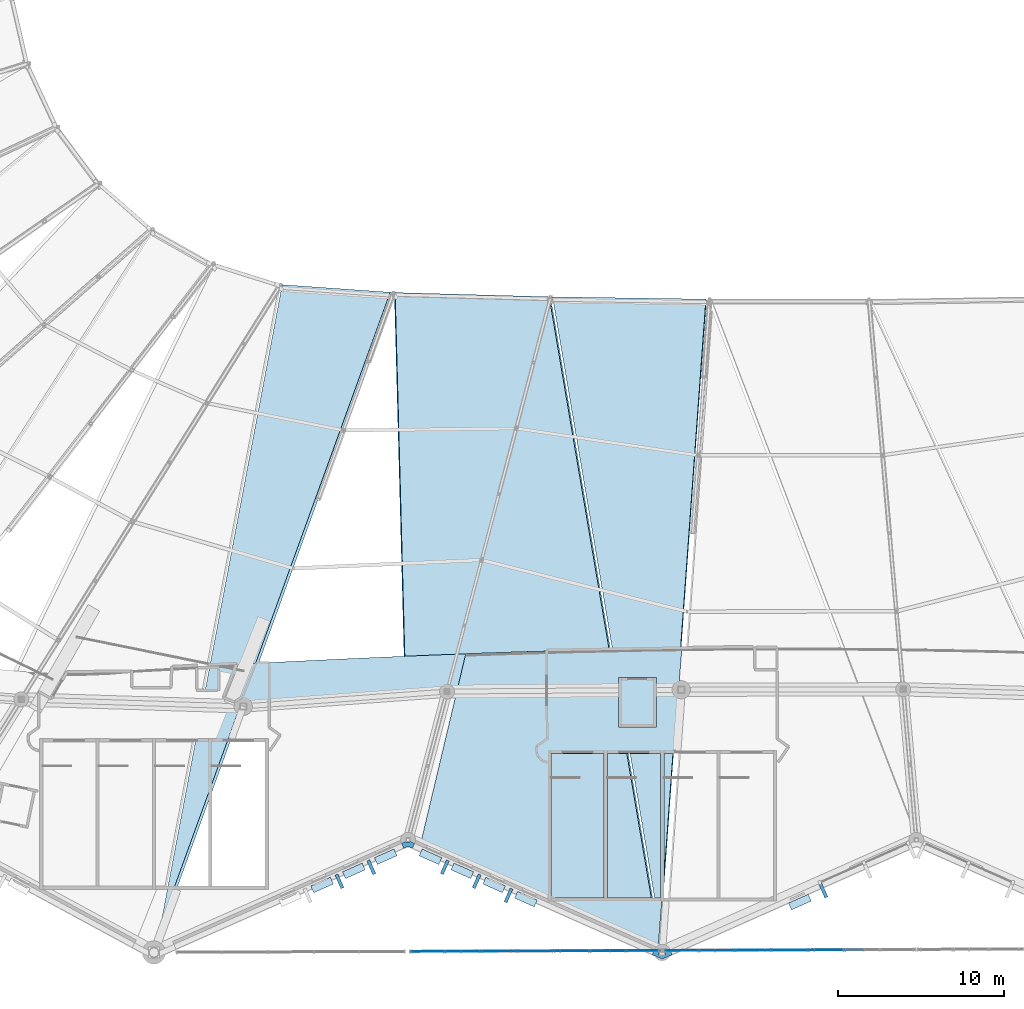
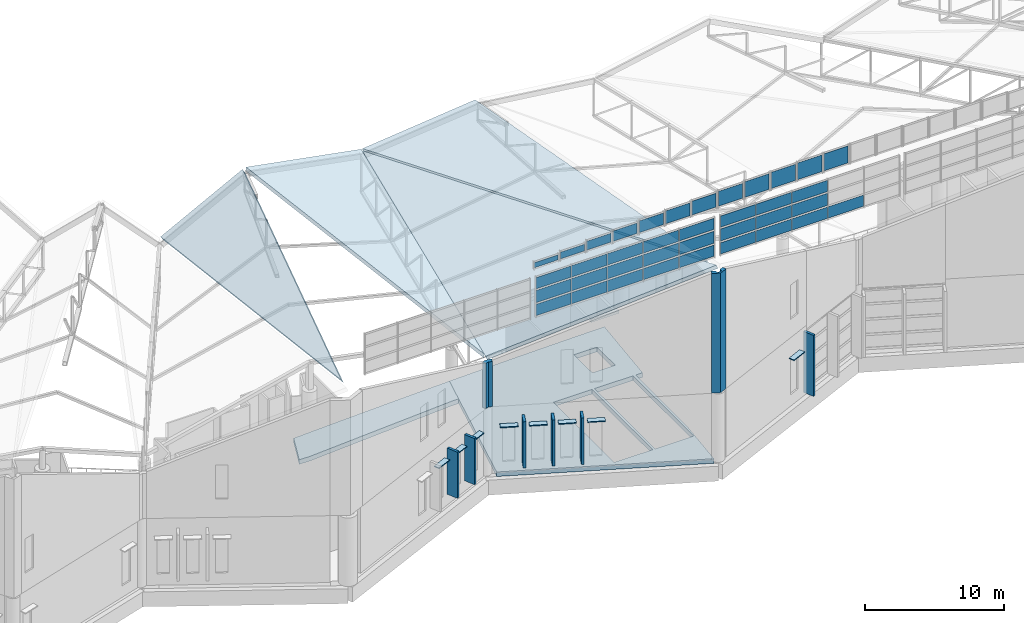
# One storey, part 227 of 344: 53 plates, 7 slabs, 14 elements without a shape of their own.
"""IFC4 building model written with IfcOpenShell, lengths in metres."""

from ifc_helpers import new_model, si_unit, direction, frame, origin, origin_2d, place, context, subcontext, project, spatial, polyline, rectangle, outline, extrude, material, layer, layer_set, type_object, element, aggregate, save


model = new_model("IFC4")

# Units and contexts
model_context = context("Model", 3, precision=1e-05, world=origin(), true_north=direction((0.0, 1.0)))
body_context = subcontext(model_context, "Body", "Model", "MODEL_VIEW")
ifc_project = project(units=[si_unit("LENGTHUNIT", "METRE"), si_unit("AREAUNIT", "SQUARE_METRE"), si_unit("VOLUMEUNIT", "CUBIC_METRE"), si_unit("PLANEANGLEUNIT", "RADIAN"), si_unit("MASSUNIT", "GRAM", prefix="KILO")], contexts=[model_context])

# Site, building, storey
site_placement = place(None, origin())
site = spatial("IfcSite", under=ifc_project, at=site_placement, CompositionType="ELEMENT")
building_placement = place(site_placement, origin())
building = spatial("IfcBuilding", under=site, at=building_placement, Name="Meseta Stadium", CompositionType="ELEMENT")
storey_placement = place(building_placement, frame((0.0, 0.0, 24.0)))
storey = spatial("IfcBuildingStorey", under=building, at=storey_placement, Name="L04", CompositionType="ELEMENT", Elevation=24.0)

# Plate
ifc_material_1 = material(Name="White precast concrete C40/50", Category="concrete")
ifc_layer_1 = layer(ifc_material_1, 0.199951171875)
ifc_layer_set_1 = layer_set([ifc_layer_1], Name="Brise-soleil fin 200x900")
plate_type_1 = type_object("IfcPlateType", Name="Brise-soleil fin 200x900", PredefinedType="USERDEFINED", material=ifc_layer_set_1)
plate_1_placement = place(storey_placement, frame((2.05224609375, -101.664306640625, 0.0), z_axis=(0.0, 0.0, 1.0), x_axis=(0.914139046248, 0.40540079443, 0.0)))
element("IfcPlate", 1, at=plate_1_placement, inside=storey, type_object=plate_type_1, Name="Brise-soleil fin F46.1", ObjectType="FIN", PredefinedType="USERDEFINED", context=body_context, shape_type="SweptSolid", body=[
    extrude(rectangle(XDim=0.199951171875, YDim=0.89990234375, at=origin_2d()), origin(), (0.0, 0.0, 1.0), 5.35009765625),
])

# Curtain wall, plate
ifc_material_2 = material(Name="Aluminium", Category="aluminium")
ifc_layer_2 = layer(ifc_material_2, 0.199951171875)
ifc_layer_set_2 = layer_set([ifc_layer_2], Name="Gable glazing curtain wall")
curtain_wall_type = type_object("IfcCurtainWallType", Name="Gable glazing curtain wall", PredefinedType="NOTDEFINED", material=ifc_layer_set_2)
curtain_wall_1_placement = place(storey_placement, origin())
curtain_wall_1 = element("IfcCurtainWall", 2, at=curtain_wall_1_placement, inside=storey, type_object=curtain_wall_type, Name="Gable glazing south bay 08", PredefinedType="NOTDEFINED")
ifc_material_3 = material(Name="Glass", Category="glass")
ifc_layer_3 = layer(ifc_material_3, 0.035888671875)
ifc_layer_set_3 = layer_set([ifc_layer_3], Name="CW glass panel 36")
plate_type_2 = type_object("IfcPlateType", Name="CW glass panel 36", PredefinedType="CURTAIN_PANEL", material=ifc_layer_set_3)
plate_2_placement = place(storey_placement, frame((-21.880615234375, -105.336669921875, 22.0048828125), z_axis=(0.0, 0.0, 1.0), x_axis=(0.999992598213, 0.003847534233, 0.0)))
plate_2 = element("IfcPlate", 3, at=plate_2_placement, type_object=plate_type_2, Name="CWG panel 1.1", PredefinedType="CURTAIN_PANEL", context=body_context, shape_type="SweptSolid", body=[
    extrude(rectangle(XDim=2.002685546875, YDim=0.035888671875, at=origin_2d()), origin(), (0.0, 0.0, 1.0), 0.43701171875),
])
aggregate(curtain_wall_1, [plate_2])

curtain_wall_2_placement = place(storey_placement, origin())
curtain_wall_2 = element("IfcCurtainWall", 4, at=curtain_wall_2_placement, inside=storey, type_object=curtain_wall_type, Name="Gable glazing south bay 09", PredefinedType="NOTDEFINED")
plate_3_placement = place(storey_placement, frame((-19.694091796875, -105.328369140625, 22.0048828125), z_axis=(0.0, 0.0, 1.0), x_axis=(0.999992598213, 0.003847534233, 0.0)))
plate_3 = element("IfcPlate", 5, at=plate_3_placement, type_object=plate_type_2, Name="CWG panel 1.1", PredefinedType="CURTAIN_PANEL", context=body_context, shape_type="SweptSolid", body=[
    extrude(rectangle(XDim=2.002685546875, YDim=0.035888671875, at=origin_2d()), origin(), (0.0, 0.0, 1.0), 0.589111328125),
])
aggregate(curtain_wall_2, [plate_3])

curtain_wall_3_placement = place(storey_placement, origin())
curtain_wall_3 = element("IfcCurtainWall", 6, at=curtain_wall_3_placement, inside=storey, type_object=curtain_wall_type, Name="Gable glazing south bay 10", PredefinedType="NOTDEFINED")
plate_4_placement = place(storey_placement, frame((-17.50732421875, -105.31982421875, 22.0048828125), z_axis=(0.0, 0.0, 1.0), x_axis=(0.999992598213, 0.003847534233, 0.0)))
plate_4 = element("IfcPlate", 7, at=plate_4_placement, type_object=plate_type_2, Name="CWG panel 1.1", PredefinedType="CURTAIN_PANEL", context=body_context, shape_type="SweptSolid", body=[
    extrude(rectangle(XDim=2.002685546875, YDim=0.035888671875, at=origin_2d()), origin(), (0.0, 0.0, 1.0), 0.778564453125),
])
aggregate(curtain_wall_3, [plate_4])

curtain_wall_4_placement = place(storey_placement, origin())
curtain_wall_4 = element("IfcCurtainWall", 8, at=curtain_wall_4_placement, inside=storey, type_object=curtain_wall_type, Name="Gable glazing south bay 11", PredefinedType="NOTDEFINED")
plate_5_placement = place(storey_placement, frame((-15.320556640625, -105.3115234375, 22.0048828125), z_axis=(0.0, 0.0, 1.0), x_axis=(0.999992598213, 0.003847534233, 0.0)))
plate_5 = element("IfcPlate", 9, at=plate_5_placement, type_object=plate_type_2, Name="CWG panel 1.1", PredefinedType="CURTAIN_PANEL", context=body_context, shape_type="SweptSolid", body=[
    extrude(rectangle(XDim=2.002685546875, YDim=0.035888671875, at=origin_2d()), origin(), (0.0, 0.0, 1.0), 0.905517578125),
])
aggregate(curtain_wall_4, [plate_5])

curtain_wall_5_placement = place(storey_placement, origin())
curtain_wall_5 = element("IfcCurtainWall", 10, at=curtain_wall_5_placement, inside=storey, type_object=curtain_wall_type, Name="Gable glazing south bay 12", PredefinedType="NOTDEFINED")
plate_6_placement = place(storey_placement, frame((-13.1337890625, -105.302978515625, 22.0048828125), z_axis=(0.0, 0.0, 1.0), x_axis=(0.999992598213, 0.003847534233, 0.0)))
plate_6 = element("IfcPlate", 11, at=plate_6_placement, type_object=plate_type_2, Name="CWG panel 1.1", PredefinedType="CURTAIN_PANEL", context=body_context, shape_type="SweptSolid", body=[
    extrude(rectangle(XDim=2.002685546875, YDim=0.035888671875, at=origin_2d()), origin(), (0.0, 0.0, 1.0), 1.02001953125),
])
aggregate(curtain_wall_5, [plate_6])

curtain_wall_6_placement = place(storey_placement, origin())
curtain_wall_6 = element("IfcCurtainWall", 12, at=curtain_wall_6_placement, inside=storey, type_object=curtain_wall_type, Name="Gable glazing south bay 13", PredefinedType="NOTDEFINED")
plate_7_placement = place(storey_placement, frame((-10.947265625, -105.294677734375, 22.0048828125), z_axis=(0.0, 0.0, 1.0), x_axis=(0.999992598213, 0.003847534233, 0.0)))
plate_7 = element("IfcPlate", 13, at=plate_7_placement, type_object=plate_type_2, Name="CWG panel 1.1", PredefinedType="CURTAIN_PANEL", context=body_context, shape_type="SweptSolid", body=[
    extrude(rectangle(XDim=2.002685546875, YDim=0.035888671875, at=origin_2d()), origin(), (0.0, 0.0, 1.0), 1.12255859375),
])
aggregate(curtain_wall_6, [plate_7])

curtain_wall_7_placement = place(storey_placement, origin())
curtain_wall_7 = element("IfcCurtainWall", 14, at=curtain_wall_7_placement, inside=storey, type_object=curtain_wall_type, Name="Gable glazing south bay 14", PredefinedType="NOTDEFINED")
plate_8_placement = place(storey_placement, frame((-8.760498046875, -105.2861328125, 22.0048828125), z_axis=(0.0, 0.0, 1.0), x_axis=(0.999992598213, 0.003847534233, 0.0)))
plate_8 = element("IfcPlate", 15, at=plate_8_placement, type_object=plate_type_2, Name="CWG panel 1.1", PredefinedType="CURTAIN_PANEL", context=body_context, shape_type="SweptSolid", body=[
    extrude(rectangle(XDim=2.002685546875, YDim=0.035888671875, at=origin_2d()), origin(), (0.0, 0.0, 1.0), 1.213134765625),
])
aggregate(curtain_wall_7, [plate_8])

curtain_wall_8_placement = place(storey_placement, origin())
curtain_wall_8 = element("IfcCurtainWall", 16, at=curtain_wall_8_placement, inside=storey, type_object=curtain_wall_type, Name="Gable glazing south bay 15", PredefinedType="NOTDEFINED")
plate_9_placement = place(storey_placement, frame((-6.570068359375, -105.27783203125, 22.0048828125), z_axis=(0.0, 0.0, 1.0), x_axis=(0.999992598211, 0.003847534652, 0.0)))
plate_9 = element("IfcPlate", 17, at=plate_9_placement, type_object=plate_type_2, Name="CWG panel 1.1", PredefinedType="CURTAIN_PANEL", context=body_context, shape_type="SweptSolid", body=[
    extrude(rectangle(XDim=2.01025390625, YDim=0.035888671875, at=origin_2d()), origin(), (0.0, 0.0, 1.0), 1.292236328125),
])
aggregate(curtain_wall_8, [plate_9])

curtain_wall_9_placement = place(storey_placement, origin())
curtain_wall_9 = element("IfcCurtainWall", 18, at=curtain_wall_9_placement, inside=storey, type_object=curtain_wall_type, Name="Gable glazing south bay 16", PredefinedType="NOTDEFINED")
plate_10_placement = place(storey_placement, frame((-4.375732421875, -105.269287109375, 22.0048828125), z_axis=(0.0, 0.0, 1.0), x_axis=(0.999992598213, 0.003847534181, 0.0)))
plate_10 = element("IfcPlate", 19, at=plate_10_placement, type_object=plate_type_2, Name="CWG panel 1.1", PredefinedType="CURTAIN_PANEL", context=body_context, shape_type="SweptSolid", body=[
    extrude(rectangle(XDim=2.01025390625, YDim=0.035888671875, at=origin_2d()), origin(), (0.0, 0.0, 1.0), 1.3603515625),
])
aggregate(curtain_wall_9, [plate_10])

curtain_wall_10_placement = place(storey_placement, origin())
curtain_wall_10 = element("IfcCurtainWall", 20, at=curtain_wall_10_placement, inside=storey, type_object=curtain_wall_type, Name="Gable glazing south bay 17", PredefinedType="NOTDEFINED")
plate_11_placement = place(storey_placement, frame((-2.181640625, -105.260986328125, 22.0048828125), z_axis=(0.0, 0.0, 1.0), x_axis=(0.999992598213, 0.003847534181, 0.0)))
plate_11 = element("IfcPlate", 21, at=plate_11_placement, type_object=plate_type_2, Name="CWG panel 1.1", PredefinedType="CURTAIN_PANEL", context=body_context, shape_type="SweptSolid", body=[
    extrude(rectangle(XDim=2.01025390625, YDim=0.035888671875, at=origin_2d()), origin(), (0.0, 0.0, 1.0), 1.416748046875),
])
aggregate(curtain_wall_10, [plate_11])

curtain_wall_11_placement = place(storey_placement, origin())
curtain_wall_11 = element("IfcCurtainWall", 22, at=curtain_wall_11_placement, inside=storey, type_object=curtain_wall_type, Name="Gable glazing south bay 18", PredefinedType="NOTDEFINED")
plate_12_placement = place(storey_placement, frame((0.012451171875, -105.25244140625, 22.0048828125), z_axis=(0.0, 0.0, 1.0), x_axis=(0.999992598213, 0.003847534181, 0.0)))
plate_12 = element("IfcPlate", 23, at=plate_12_placement, type_object=plate_type_2, Name="CWG panel 1.1", PredefinedType="CURTAIN_PANEL", context=body_context, shape_type="SweptSolid", body=[
    extrude(rectangle(XDim=2.01025390625, YDim=0.035888671875, at=origin_2d()), origin(), (0.0, 0.0, 1.0), 1.46240234375),
])
aggregate(curtain_wall_11, [plate_12])

curtain_wall_12_placement = place(storey_placement, origin())
curtain_wall_12 = element("IfcCurtainWall", 24, at=curtain_wall_12_placement, inside=storey, type_object=curtain_wall_type, Name="Gable glazing south bay 19", PredefinedType="NOTDEFINED")
plate_13_placement = place(storey_placement, frame((2.206787109375, -105.244140625, 22.005126953125), z_axis=(0.0, 0.0, 1.0), x_axis=(0.999992598213, 0.003847534181, 0.0)))
plate_13 = element("IfcPlate", 25, at=plate_13_placement, type_object=plate_type_2, Name="CWG panel 1.1", PredefinedType="CURTAIN_PANEL", context=body_context, shape_type="SweptSolid", body=[
    extrude(rectangle(XDim=2.01025390625, YDim=0.035888671875, at=origin_2d()), origin(), (0.0, 0.0, 1.0), 1.49658203125),
])
aggregate(curtain_wall_12, [plate_13])

# Curtain wall, plates
curtain_wall_13_placement = place(storey_placement, origin())
curtain_wall_13 = element("IfcCurtainWall", 26, at=curtain_wall_13_placement, inside=storey, type_object=curtain_wall_type, Name="Gable glazing south lower bay 02", PredefinedType="NOTDEFINED")
plate_14_placement = place(storey_placement, frame((-21.27197265625, -105.33447265625, 17.75), z_axis=(0.0, 0.0, 1.0), x_axis=(0.999992598213, 0.003847534198, 0.0)))
plate_14 = element("IfcPlate", 27, at=plate_14_placement, type_object=plate_type_2, Name="CWG panel 1.1", PredefinedType="CURTAIN_PANEL", context=body_context, shape_type="SweptSolid", body=[
    extrude(rectangle(XDim=2.893310546875, YDim=0.035888671875, at=origin_2d()), origin(), (0.0, 0.0, 1.0), 0.986572265625),
])
plate_15_placement = place(storey_placement, frame((-21.27197265625, -105.33447265625, 18.88671875), z_axis=(0.0, 0.0, 1.0), x_axis=(0.999992598213, 0.003847534198, 0.0)))
plate_15 = element("IfcPlate", 28, at=plate_15_placement, type_object=plate_type_2, Name="CWG panel 1.2", PredefinedType="CURTAIN_PANEL", context=body_context, shape_type="SweptSolid", body=[
    extrude(rectangle(XDim=2.893310546875, YDim=0.035888671875, at=origin_2d()), origin(), (0.0, 0.0, 1.0), 1.061767578125),
])
plate_16_placement = place(storey_placement, frame((-21.27197265625, -105.33447265625, 20.09814453125), z_axis=(0.0, 0.0, 1.0), x_axis=(0.999992598213, 0.003847534198, 0.0)))
plate_16 = element("IfcPlate", 29, at=plate_16_placement, type_object=plate_type_2, Name="CWG panel 1.3", PredefinedType="CURTAIN_PANEL", context=body_context, shape_type="SweptSolid", body=[
    extrude(rectangle(XDim=2.893310546875, YDim=0.035888671875, at=origin_2d()), origin(), (0.0, 0.0, 1.0), 0.986572265625),
])
plate_17_placement = place(storey_placement, frame((-18.3037109375, -105.322998046875, 17.75), z_axis=(0.0, 0.0, 1.0), x_axis=(0.999992598213, 0.003847534198, 0.0)))
plate_17 = element("IfcPlate", 30, at=plate_17_placement, type_object=plate_type_2, Name="CWG panel 2.1", PredefinedType="CURTAIN_PANEL", context=body_context, shape_type="SweptSolid", body=[
    extrude(rectangle(XDim=2.923095703125, YDim=0.035888671875, at=origin_2d()), origin(), (0.0, 0.0, 1.0), 0.986572265625),
])
plate_18_placement = place(storey_placement, frame((-18.3037109375, -105.322998046875, 18.88671875), z_axis=(0.0, 0.0, 1.0), x_axis=(0.999992598213, 0.003847534198, 0.0)))
plate_18 = element("IfcPlate", 31, at=plate_18_placement, type_object=plate_type_2, Name="CWG panel 2.2", PredefinedType="CURTAIN_PANEL", context=body_context, shape_type="SweptSolid", body=[
    extrude(rectangle(XDim=2.923095703125, YDim=0.035888671875, at=origin_2d()), origin(), (0.0, 0.0, 1.0), 1.061767578125),
])
plate_19_placement = place(storey_placement, frame((-18.3037109375, -105.322998046875, 20.09814453125), z_axis=(0.0, 0.0, 1.0), x_axis=(0.999992598213, 0.003847534198, 0.0)))
plate_19 = element("IfcPlate", 32, at=plate_19_placement, type_object=plate_type_2, Name="CWG panel 2.3", PredefinedType="CURTAIN_PANEL", context=body_context, shape_type="SweptSolid", body=[
    extrude(rectangle(XDim=2.923095703125, YDim=0.035888671875, at=origin_2d()), origin(), (0.0, 0.0, 1.0), 0.986572265625),
])
plate_20_placement = place(storey_placement, frame((-15.320556640625, -105.3115234375, 17.75), z_axis=(0.0, 0.0, 1.0), x_axis=(0.999992598213, 0.003847534198, 0.0)))
plate_20 = element("IfcPlate", 33, at=plate_20_placement, type_object=plate_type_2, Name="CWG panel 3.1", PredefinedType="CURTAIN_PANEL", context=body_context, shape_type="SweptSolid", body=[
    extrude(rectangle(XDim=2.923095703125, YDim=0.035888671875, at=origin_2d()), origin(), (0.0, 0.0, 1.0), 0.986572265625),
])
plate_21_placement = place(storey_placement, frame((-15.320556640625, -105.3115234375, 18.88671875), z_axis=(0.0, 0.0, 1.0), x_axis=(0.999992598213, 0.003847534198, 0.0)))
plate_21 = element("IfcPlate", 34, at=plate_21_placement, type_object=plate_type_2, Name="CWG panel 3.2", PredefinedType="CURTAIN_PANEL", context=body_context, shape_type="SweptSolid", body=[
    extrude(rectangle(XDim=2.923095703125, YDim=0.035888671875, at=origin_2d()), origin(), (0.0, 0.0, 1.0), 1.061767578125),
])
plate_22_placement = place(storey_placement, frame((-15.320556640625, -105.3115234375, 20.09814453125), z_axis=(0.0, 0.0, 1.0), x_axis=(0.999992598213, 0.003847534198, 0.0)))
plate_22 = element("IfcPlate", 35, at=plate_22_placement, type_object=plate_type_2, Name="CWG panel 3.3", PredefinedType="CURTAIN_PANEL", context=body_context, shape_type="SweptSolid", body=[
    extrude(rectangle(XDim=2.923095703125, YDim=0.035888671875, at=origin_2d()), origin(), (0.0, 0.0, 1.0), 0.986572265625),
])
plate_23_placement = place(storey_placement, frame((-12.33740234375, -105.300048828125, 17.75), z_axis=(0.0, 0.0, 1.0), x_axis=(0.999992598213, 0.003847534198, 0.0)))
plate_23 = element("IfcPlate", 36, at=plate_23_placement, type_object=plate_type_2, Name="CWG panel 4.1", PredefinedType="CURTAIN_PANEL", context=body_context, shape_type="SweptSolid", body=[
    extrude(rectangle(XDim=2.923095703125, YDim=0.035888671875, at=origin_2d()), origin(), (0.0, 0.0, 1.0), 0.986572265625),
])
plate_24_placement = place(storey_placement, frame((-12.33740234375, -105.300048828125, 18.88671875), z_axis=(0.0, 0.0, 1.0), x_axis=(0.999992598213, 0.003847534198, 0.0)))
plate_24 = element("IfcPlate", 37, at=plate_24_placement, type_object=plate_type_2, Name="CWG panel 4.2", PredefinedType="CURTAIN_PANEL", context=body_context, shape_type="SweptSolid", body=[
    extrude(rectangle(XDim=2.923095703125, YDim=0.035888671875, at=origin_2d()), origin(), (0.0, 0.0, 1.0), 1.061767578125),
])
plate_25_placement = place(storey_placement, frame((-12.33740234375, -105.300048828125, 20.09814453125), z_axis=(0.0, 0.0, 1.0), x_axis=(0.999992598213, 0.003847534198, 0.0)))
plate_25 = element("IfcPlate", 38, at=plate_25_placement, type_object=plate_type_2, Name="CWG panel 4.3", PredefinedType="CURTAIN_PANEL", context=body_context, shape_type="SweptSolid", body=[
    extrude(rectangle(XDim=2.923095703125, YDim=0.035888671875, at=origin_2d()), origin(), (0.0, 0.0, 1.0), 0.986572265625),
])
plate_26_placement = place(storey_placement, frame((-9.369140625, -105.28857421875, 17.75), z_axis=(0.0, 0.0, 1.0), x_axis=(0.999992598213, 0.003847534198, 0.0)))
plate_26 = element("IfcPlate", 39, at=plate_26_placement, type_object=plate_type_2, Name="CWG panel 5.1", PredefinedType="CURTAIN_PANEL", context=body_context, shape_type="SweptSolid", body=[
    extrude(rectangle(XDim=2.893310546875, YDim=0.035888671875, at=origin_2d()), origin(), (0.0, 0.0, 1.0), 0.986572265625),
])
plate_27_placement = place(storey_placement, frame((-9.369140625, -105.28857421875, 18.88671875), z_axis=(0.0, 0.0, 1.0), x_axis=(0.999992598213, 0.003847534198, 0.0)))
plate_27 = element("IfcPlate", 40, at=plate_27_placement, type_object=plate_type_2, Name="CWG panel 5.2", PredefinedType="CURTAIN_PANEL", context=body_context, shape_type="SweptSolid", body=[
    extrude(rectangle(XDim=2.893310546875, YDim=0.035888671875, at=origin_2d()), origin(), (0.0, 0.0, 1.0), 1.061767578125),
])
plate_28_placement = place(storey_placement, frame((-9.369140625, -105.28857421875, 20.09814453125), z_axis=(0.0, 0.0, 1.0), x_axis=(0.999992598213, 0.003847534198, 0.0)))
plate_28 = element("IfcPlate", 41, at=plate_28_placement, type_object=plate_type_2, Name="CWG panel 5.3", PredefinedType="CURTAIN_PANEL", context=body_context, shape_type="SweptSolid", body=[
    extrude(rectangle(XDim=2.893310546875, YDim=0.035888671875, at=origin_2d()), origin(), (0.0, 0.0, 1.0), 0.986572265625),
])
aggregate(curtain_wall_13, [plate_14, plate_15, plate_16, plate_17, plate_18, plate_19, plate_20, plate_21, plate_22, plate_23, plate_24, plate_25, plate_26, plate_27, plate_28])

curtain_wall_14_placement = place(storey_placement, origin())
curtain_wall_14 = element("IfcCurtainWall", 42, at=curtain_wall_14_placement, inside=storey, type_object=curtain_wall_type, Name="Gable glazing south lower bay 03", PredefinedType="NOTDEFINED")
plate_29_placement = place(storey_placement, frame((-5.959716796875, -105.275390625, 17.75), z_axis=(0.0, 0.0, 1.0), x_axis=(0.999992598213, 0.003847534216, 0.0)))
plate_29 = element("IfcPlate", 43, at=plate_29_placement, type_object=plate_type_2, Name="CWG panel 1.1", PredefinedType="CURTAIN_PANEL", context=body_context, shape_type="SweptSolid", body=[
    extrude(rectangle(XDim=2.903564453125, YDim=0.035888671875, at=origin_2d()), origin(), (0.0, 0.0, 1.0), 0.986572265625),
])
plate_30_placement = place(storey_placement, frame((-5.959716796875, -105.275390625, 18.88671875), z_axis=(0.0, 0.0, 1.0), x_axis=(0.999992598213, 0.003847534216, 0.0)))
plate_30 = element("IfcPlate", 44, at=plate_30_placement, type_object=plate_type_2, Name="CWG panel 1.2", PredefinedType="CURTAIN_PANEL", context=body_context, shape_type="SweptSolid", body=[
    extrude(rectangle(XDim=2.903564453125, YDim=0.035888671875, at=origin_2d()), origin(), (0.0, 0.0, 1.0), 1.061767578125),
])
plate_31_placement = place(storey_placement, frame((-5.959716796875, -105.275390625, 20.09814453125), z_axis=(0.0, 0.0, 1.0), x_axis=(0.999992598213, 0.003847534216, 0.0)))
plate_31 = element("IfcPlate", 45, at=plate_31_placement, type_object=plate_type_2, Name="CWG panel 1.3", PredefinedType="CURTAIN_PANEL", context=body_context, shape_type="SweptSolid", body=[
    extrude(rectangle(XDim=2.903564453125, YDim=0.035888671875, at=origin_2d()), origin(), (0.0, 0.0, 1.0), 0.986572265625),
])
plate_32_placement = place(storey_placement, frame((-2.981201171875, -105.263916015625, 17.75), z_axis=(0.0, 0.0, 1.0), x_axis=(0.999992598213, 0.003847534216, 0.0)))
plate_32 = element("IfcPlate", 46, at=plate_32_placement, type_object=plate_type_2, Name="CWG panel 2.1", PredefinedType="CURTAIN_PANEL", context=body_context, shape_type="SweptSolid", body=[
    extrude(rectangle(XDim=2.93359375, YDim=0.035888671875, at=origin_2d()), origin(), (0.0, 0.0, 1.0), 0.986572265625),
])
plate_33_placement = place(storey_placement, frame((-2.981201171875, -105.263916015625, 18.88671875), z_axis=(0.0, 0.0, 1.0), x_axis=(0.999992598213, 0.003847534216, 0.0)))
plate_33 = element("IfcPlate", 47, at=plate_33_placement, type_object=plate_type_2, Name="CWG panel 2.2", PredefinedType="CURTAIN_PANEL", context=body_context, shape_type="SweptSolid", body=[
    extrude(rectangle(XDim=2.93359375, YDim=0.035888671875, at=origin_2d()), origin(), (0.0, 0.0, 1.0), 1.061767578125),
])
plate_34_placement = place(storey_placement, frame((-2.981201171875, -105.263916015625, 20.09814453125), z_axis=(0.0, 0.0, 1.0), x_axis=(0.999992598213, 0.003847534216, 0.0)))
plate_34 = element("IfcPlate", 48, at=plate_34_placement, type_object=plate_type_2, Name="CWG panel 2.3", PredefinedType="CURTAIN_PANEL", context=body_context, shape_type="SweptSolid", body=[
    extrude(rectangle(XDim=2.93359375, YDim=0.035888671875, at=origin_2d()), origin(), (0.0, 0.0, 1.0), 0.986572265625),
])
plate_35_placement = place(storey_placement, frame((0.012451171875, -105.25244140625, 17.75), z_axis=(0.0, 0.0, 1.0), x_axis=(0.999992598213, 0.003847534216, 0.0)))
plate_35 = element("IfcPlate", 49, at=plate_35_placement, type_object=plate_type_2, Name="CWG panel 3.1", PredefinedType="CURTAIN_PANEL", context=body_context, shape_type="SweptSolid", body=[
    extrude(rectangle(XDim=2.93359375, YDim=0.035888671875, at=origin_2d()), origin(), (0.0, 0.0, 1.0), 0.986572265625),
])
plate_36_placement = place(storey_placement, frame((0.012451171875, -105.25244140625, 18.88671875), z_axis=(0.0, 0.0, 1.0), x_axis=(0.999992598213, 0.003847534216, 0.0)))
plate_36 = element("IfcPlate", 50, at=plate_36_placement, type_object=plate_type_2, Name="CWG panel 3.2", PredefinedType="CURTAIN_PANEL", context=body_context, shape_type="SweptSolid", body=[
    extrude(rectangle(XDim=2.93359375, YDim=0.035888671875, at=origin_2d()), origin(), (0.0, 0.0, 1.0), 1.061767578125),
])
plate_37_placement = place(storey_placement, frame((0.012451171875, -105.25244140625, 20.09814453125), z_axis=(0.0, 0.0, 1.0), x_axis=(0.999992598213, 0.003847534216, 0.0)))
plate_37 = element("IfcPlate", 51, at=plate_37_placement, type_object=plate_type_2, Name="CWG panel 3.3", PredefinedType="CURTAIN_PANEL", context=body_context, shape_type="SweptSolid", body=[
    extrude(rectangle(XDim=2.93359375, YDim=0.035888671875, at=origin_2d()), origin(), (0.0, 0.0, 1.0), 0.986572265625),
])
plate_38_placement = place(storey_placement, frame((3.006103515625, -105.240966796875, 17.75), z_axis=(0.0, 0.0, 1.0), x_axis=(0.999992598213, 0.003847534216, 0.0)))
plate_38 = element("IfcPlate", 52, at=plate_38_placement, type_object=plate_type_2, Name="CWG panel 4.1", PredefinedType="CURTAIN_PANEL", context=body_context, shape_type="SweptSolid", body=[
    extrude(rectangle(XDim=2.93359375, YDim=0.035888671875, at=origin_2d()), origin(), (0.0, 0.0, 1.0), 0.986572265625),
])
aggregate(curtain_wall_14, [plate_29, plate_30, plate_31, plate_32, plate_33, plate_34, plate_35, plate_36, plate_37, plate_38])

# Slabs
ifc_material_4 = material(Name="Concrete C40/50", Category="concrete")
ifc_layer_4 = layer(ifc_material_4, 0.25)
ifc_layer_set_4 = layer_set([ifc_layer_4], Name="Core roof slab 250")
slab_type_1 = type_object("IfcSlabType", Name="Core roof slab 250", PredefinedType="ROOF", material=ifc_layer_set_4)
slab_1_placement = place(storey_placement, frame((0.0, 0.0, 4.60009765625)))
element("IfcSlab", 53, at=slab_1_placement, inside=storey, type_object=slab_type_1, Name="Core 24 lift overrun roof", PredefinedType="ROOF", context=body_context, shape_type="SweptSolid", body=[
    extrude(outline(polyline([(-10.316650390625, -91.800048828125), (-10.316650390625, -88.800048828125), (-8.0166015625, -88.800048828125), (-8.0166015625, -91.800048828125), (-10.316650390625, -91.800048828125)])), origin(), (0.0, 0.0, 1.0), 0.25),
])
ifc_material_5 = material(Name="Concrete C40/50", Category="concrete")
ifc_layer_5 = layer(ifc_material_5, 0.39990234375)
ifc_layer_set_5 = layer_set([ifc_layer_5], Name="Floor slab 400")
slab_type_2 = type_object("IfcSlabType", Name="Floor slab 400", PredefinedType="FLOOR", material=ifc_layer_set_5)
slab_2_placement = place(storey_placement, frame((0.0, 0.0, -0.39990234375)))
element("IfcSlab", 54, at=slab_2_placement, inside=storey, type_object=slab_type_2, Name="Floor slab L04 sector 42 panel 05", PredefinedType="FLOOR", context=body_context, shape_type="SweptSolid", body=[
    extrude(outline(polyline([(-32.769287109375, -87.978759765625), (-33.77490234375, -90.5126953125), (-32.944091796875, -90.5390625), (-20.650390625, -89.644287109375), (-20.649658203125, -89.644287109375), (-20.06005859375, -89.6396484375), (-20.058837890625, -89.639892578125), (-20.0576171875, -89.639892578125), (-20.05712890625, -89.639892578125), (-19.518310546875, -87.37744140625), (-21.70947265625, -87.461669921875), (-23.906982421875, -87.552734375), (-26.111328125, -87.650634765625), (-28.322998046875, -87.75439453125), (-30.542236328125, -87.864013671875), (-32.769287109375, -87.978759765625)])), origin(), (0.0, 0.0, 1.0), 0.39990234375),
])
slab_3_placement = place(storey_placement, frame((0.0, 0.0, -0.39990234375)))
element("IfcSlab", 55, at=slab_3_placement, inside=storey, type_object=slab_type_2, Name="Floor slab L04 sector 42 panel 06", PredefinedType="FLOOR", context=body_context, shape_type="SweptSolid", body=[
    extrude(outline(polyline([(-7.566650390625, -93.39990234375), (-6.984130859375, -93.39990234375), (-6.4794921875, -87.04345703125), (-8.64306640625, -87.0771484375), (-10.8095703125, -87.119873046875), (-12.9794921875, -87.171630859375), (-15.154052734375, -87.23193359375), (-17.33349609375, -87.30078125), (-19.518310546875, -87.37744140625), (-22.267822265625, -98.9248046875), (-7.92724609375, -105.284423828125), (-7.566650390625, -100.740478515625), (-7.566650390625, -93.39990234375)]), holes=[polyline([(-8.216796875, -91.60009765625), (-10.11669921875, -91.60009765625), (-10.11669921875, -89.0), (-8.216796875, -89.0), (-8.216796875, -91.60009765625)]), polyline([(-11.166748046875, -102.10009765625), (-14.36669921875, -102.10009765625), (-14.36669921875, -93.39990234375), (-11.166748046875, -93.39990234375), (-11.166748046875, -102.10009765625)]), polyline([(-7.7666015625, -102.10009765625), (-10.966796875, -102.10009765625), (-10.966796875, -93.39990234375), (-7.7666015625, -93.39990234375), (-7.7666015625, -102.10009765625)])]), origin(), (0.0, 0.0, 1.0), 0.39990234375),
])

# Plates
ifc_material_6 = material(Name="White precast concrete C40/50", Category="concrete")
ifc_layer_6 = layer(ifc_material_6, 0.320068359375)
ifc_layer_set_6 = layer_set([ifc_layer_6], Name="Fold closer plate 320")
plate_type_3 = type_object("IfcPlateType", Name="Fold closer plate 320", PredefinedType="USERDEFINED", material=ifc_layer_set_6)
plate_39_placement = place(storey_placement, frame((0.0, 0.0, 6.0)))
element("IfcPlate", 56, at=plate_39_placement, inside=storey, type_object=plate_type_3, Name="Pleated fascia fold closer L04 F44", ObjectType="CLADDING", PredefinedType="USERDEFINED", context=body_context, shape_type="SweptSolid", body=[
    extrude(outline(polyline([(-23.1201171875, -98.697021484375), (-23.394775390625, -98.81884765625), (-23.264892578125, -99.111328125), (-23.0, -98.993896484375), (-22.735107421875, -99.111328125), (-22.605224609375, -98.81884765625), (-22.8798828125, -98.697021484375), (-22.880859375, -98.7138671875), (-22.888916015625, -98.719970703125), (-23.110107421875, -98.719970703125), (-23.119140625, -98.7138671875), (-23.1201171875, -98.697021484375)])), origin(), (0.0, 0.0, 1.0), 3.9453125),
])
plate_40_placement = place(storey_placement, frame((0.0, 0.0, 6.0)))
element("IfcPlate", 57, at=plate_40_placement, inside=storey, type_object=plate_type_3, Name="Pleated fascia fold closer L04 F45", ObjectType="CLADDING", PredefinedType="USERDEFINED", context=body_context, shape_type="SweptSolid", body=[
    extrude(outline(polyline([(-7.666748046875, -105.793701171875), (-7.064208984375, -105.526611328125), (-7.19384765625, -105.23388671875), (-7.481689453125, -105.36181640625), (-7.481689453125, -105.574951171875), (-7.487060546875, -105.583740234375), (-7.841796875, -105.5849609375), (-7.8486328125, -105.58203125), (-7.851806640625, -105.574951171875), (-7.851806640625, -105.36181640625), (-8.139404296875, -105.23388671875), (-8.269287109375, -105.526611328125), (-7.666748046875, -105.793701171875)])), origin(), (0.0, 0.0, 1.0), 10.482421875),
])
ifc_material_7 = material(Name="White precast concrete C40/50", Category="concrete")
ifc_layer_7 = layer(ifc_material_7, 0.080078125)
ifc_layer_set_7 = layer_set([ifc_layer_7], Name="Louvre hood 1300x450")
plate_type_4 = type_object("IfcPlateType", Name="Louvre hood 1300x450", PredefinedType="USERDEFINED", material=ifc_layer_set_7)
for number, where, z_axis, x_axis, name in (
    (58, (-24.352294921875, -99.620849609375, 4.25), (0.0, 0.0, 1.0), (0.914139046248, 0.40540079443, 0.0), "Louvre hood L04 F44"),
    (59, (-26.27197265625, -100.47216796875, 4.25), (0.0, 0.0, 1.0), (0.914139046248, 0.40540079443, 0.0), "Louvre hood L04 F44"),
    (60, (-28.191650390625, -101.323486328125, 4.25), (0.0, 0.0, 1.0), (0.914139046248, 0.40540079443, 0.0), "Louvre hood L04 F44"),
    (61, (-21.647705078125, -99.620849609375, 4.25), (0.0, 0.0, 1.0), (0.914139046248, -0.40540079443, 0.0), "Louvre hood L04 F45"),
    (62, (-19.72802734375, -100.47216796875, 4.25), (0.0, 0.0, 1.0), (0.914139046248, -0.40540079443, 0.0), "Louvre hood L04 F45"),
    (63, (-17.808349609375, -101.323486328125, 4.25), (0.0, 0.0, 1.0), (0.914139046248, -0.40540079443, 0.0), "Louvre hood L04 F45"),
    (64, (-15.888671875, -102.1748046875, 4.25), (0.0, 0.0, 1.0), (0.914139046248, -0.40540079443, 0.0), "Louvre hood L04 F45"),
    (65, (0.636474609375, -102.357666015625, 4.25), (0.0, 0.0, 1.0), (0.914139046248, 0.40540079443, 0.0), "Louvre hood L04 F46"),
):
    element("IfcPlate", number, at=place(storey_placement, frame(where, z_axis=z_axis, x_axis=x_axis)), inside=storey, type_object=plate_type_4, Name=name, ObjectType="LOUVRE", PredefinedType="USERDEFINED", context=body_context, shape_type="SweptSolid", body=[
        extrude(rectangle(XDim=1.300048828125, YDim=0.449951171875, at=origin_2d()), origin(), (0.0, 0.0, 1.0), 0.080078125),
    ])
ifc_material_8 = material(Name="Precast concrete C40/50, terracotta pigment", Category="masonry")
ifc_layer_8 = layer(ifc_material_8, 0.199951171875)
ifc_layer_set_8 = layer_set([ifc_layer_8], Name="Precast concrete C40/50, terracotta pigment")
plate_type_5 = type_object("IfcPlateType", Name="Precast fin 200x900", PredefinedType="USERDEFINED", material=ifc_layer_set_8)
for number, where, z_axis, x_axis, name in (
    (66, (-25.220947265625, -100.252197265625, 0.9501953125), (0.0, 0.0, 1.0), (-0.914139367606, -0.405400069798, 0.0), "Precast fin L04 F44.1"),
    (67, (-27.140625, -101.103515625, 0.9501953125), (0.0, 0.0, 1.0), (-0.914139367606, -0.405400069798, 0.0), "Precast fin L04 F44.2"),
    (68, (-16.939697265625, -101.954833984375, 0.9501953125), (0.0, 0.0, 1.0), (-0.914139367606, 0.405400069798, 0.0), "Precast fin L04 F45.1"),
    (69, (-18.859375, -101.103515625, 0.9501953125), (0.0, 0.0, 1.0), (-0.914139367606, 0.405400069798, 0.0), "Precast fin L04 F45.2"),
    (70, (-20.779052734375, -100.252197265625, 0.9501953125), (0.0, 0.0, 1.0), (-0.914139367606, 0.405400069798, 0.0), "Precast fin L04 F45.3"),
):
    element("IfcPlate", number, at=place(storey_placement, frame(where, z_axis=z_axis, x_axis=x_axis)), inside=storey, type_object=plate_type_5, Name=name, ObjectType="FIN", PredefinedType="USERDEFINED", context=body_context, shape_type="SweptSolid", body=[
        extrude(rectangle(XDim=0.199951171875, YDim=0.89990234375, at=origin_2d()), origin(), (0.0, 0.0, 1.0), 4.050048828125),
    ])

# Slabs
ifc_material_9 = material(Name="Precast concrete C40/50", Category="concrete")
ifc_layer_9 = layer(ifc_material_9, 0.300048828125)
ifc_layer_set_9 = layer_set([ifc_layer_9], Name="Roof plate 300")
slab_type_3 = type_object("IfcSlabType", Name="Roof plate 300", PredefinedType="ROOF", material=ifc_layer_set_9)
slab_4_placement = place(storey_placement, frame((-37.9326171875, -103.748291015625, 16.47412109375), z_axis=(-0.45820552869, 0.368588688055, 0.808820173163), x_axis=(0.176486539704, 0.929576041423, -0.323636964073)))
element("IfcSlab", 71, at=slab_4_placement, inside=storey, type_object=slab_type_3, Name="Roof panel RP-43 A", PredefinedType="ROOF", context=body_context, shape_type="SweptSolid", body=[
    extrude(outline(polyline([(0.0, 0.0), (41.56932190716889, 0.0), (41.03234443245939, -7.595981760004408), (0.0, 0.0)])), origin(), (0.0, 0.0, -1.0), 0.300048828125),
])
slab_5_placement = place(storey_placement, frame((-14.3896484375, -65.8369140625, 5.465087890625), z_axis=(0.165548926831, 0.098312211043, 0.981289081762), x_axis=(-0.251726707628, -0.957846773056, 0.138431297083)))
element("IfcSlab", 72, at=slab_5_placement, inside=storey, type_object=slab_type_3, Name="Roof panel RP-44 A", PredefinedType="ROOF", context=body_context, shape_type="SweptSolid", body=[
    extrude(outline(polyline([(0.0, 0.0), (33.84921700763762, 4.440892098500626e-16), (2.3333364658478857, -9.233014967693135), (0.0, 0.0)])), origin(), (0.0, 0.0, -1.0), 0.300048828125),
])
slab_6_placement = place(storey_placement, frame((-7.793212890625, -104.06005859375, 16.621337890625), z_axis=(-0.11251392774, 0.260462004022, 0.958905709924), x_axis=(-0.161011455776, 0.947500731859, -0.276256536999)))
element("IfcSlab", 73, at=slab_6_placement, inside=storey, type_object=slab_type_3, Name="Roof panel RP-45 A", PredefinedType="ROOF", context=body_context, shape_type="SweptSolid", body=[
    extrude(outline(polyline([(0.0, 0.0), (40.33947246931415, 4.440892098500626e-16), (38.40641134347913, -9.123329902158174), (0.0, 0.0)])), origin(), (0.0, 0.0, -1.0), 0.300048828125),
])
slab_7_placement = place(storey_placement, frame((-23.0, -98.60009765625, 10.199951171875), z_axis=(-0.314114384877, 0.216152418995, 0.924451342676), x_axis=(0.251724733376, 0.957847647129, -0.138428839102)))
element("IfcSlab", 74, at=slab_7_placement, inside=storey, type_object=slab_type_3, Name="Roof panel RP-45 B", PredefinedType="ROOF", context=body_context, shape_type="SweptSolid", body=[
    extrude(outline(polyline([(0.0, 0.0), (33.96974653994911, 6.661338147750939e-16), (-3.570136008492511, -17.616759738044504), (0.0, 0.0)])), origin(), (0.0, 0.0, -1.0), 0.300048828125),
])

save(model, "model.ifc")
